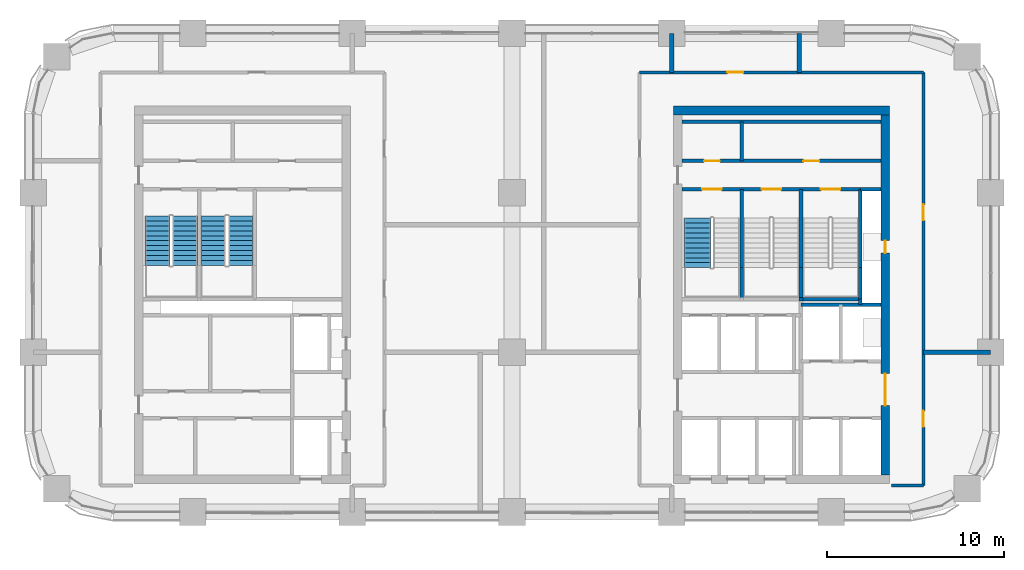
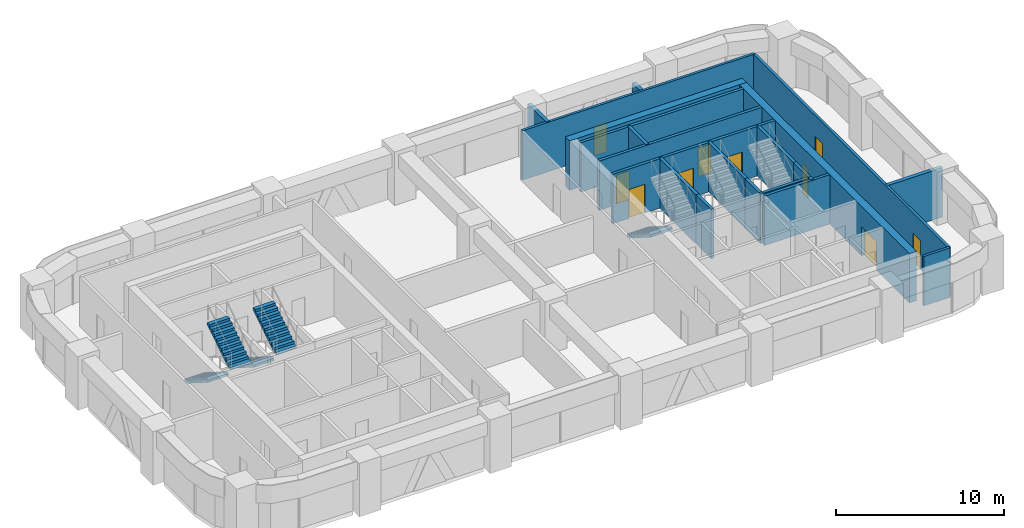
# One storey, part 10 of 18: 23 walls, 10 doors, 5 stair flights, 10 openings, 3 elements without a shape of their own.
"""IFC4 building model written with IfcOpenShell, lengths in metres."""

import ifcopenshell
import ifcopenshell.guid

model = None  # the IFC model being written
_history = None  # IfcOwnerHistory: only IFC2X3 demands one
_inside = {}  # id of a spatial element -> (the spatial element, [elements in it])
_under = {}  # id of a project, library or spatial element -> (it, [spatial elements below it])
_declared = {}  # id of a project -> (the project, [libraries it declares])
_typed = {}  # id of a type object -> (the type object, [elements of that type])
_made_of = {}  # id of a material, layer set ... -> (it, [elements and type objects made of it])


def new_model(schema):
    """Start an empty IFC model of exactly this schema.

    Asked for "IFC4X3", IfcOpenShell would pick the latest addendum, in which some entities
    have other attributes; the version numbers below select the first issue.
    IFC2X3 requires an IfcOwnerHistory on every rooted entity: one is made here for all.
    """
    global model, _history
    if schema == "IFC4X3":
        model = ifcopenshell.file(schema_version=(4, 3, 0, 0))
    else:
        model = ifcopenshell.file(schema=schema)
    _inside.clear()
    _under.clear()
    _declared.clear()
    _typed.clear()
    _made_of.clear()
    _history = None
    if model.schema == "IFC2X3":
        org = make("IfcOrganization", Name="unknown")
        user = make(
            "IfcPersonAndOrganization",
            ThePerson=make("IfcPerson", FamilyName="unknown"),
            TheOrganization=org,
        )
        app = make(
            "IfcApplication",
            ApplicationDeveloper=org,
            Version="unknown",
            ApplicationFullName="unknown",
            ApplicationIdentifier="unknown",
        )
        _history = make(
            "IfcOwnerHistory",
            OwningUser=user,
            OwningApplication=app,
            ChangeAction="ADDED",
            CreationDate=0,
        )
    return model


def make(cls, **values):
    """One entity of the class cls with the attributes given. An attribute that is None is left unset."""
    return model.create_entity(
        cls, **{name: value for name, value in values.items() if value is not None}
    )


def rooted(cls, **values):
    """An entity with a GlobalId (a new one), such as an element, a storey or a relation."""
    return make(cls, GlobalId=ifcopenshell.guid.new(), OwnerHistory=_history, **values)


def si_unit(unit_type, name, prefix=None):
    """IfcSIUnit, for example si_unit("LENGTHUNIT", "METRE", prefix="MILLI")."""
    return make("IfcSIUnit", UnitType=unit_type, Prefix=prefix, Name=name)


def assignment(units):
    """IfcUnitAssignment: the units of a project."""
    return None if units is None else make("IfcUnitAssignment", Units=units)


def point(xyz):
    """IfcCartesianPoint."""
    return None if xyz is None else make("IfcCartesianPoint", Coordinates=xyz)


def direction(xyz):
    """IfcDirection."""
    return None if xyz is None else make("IfcDirection", DirectionRatios=xyz)


def frame(location, z_axis=None, x_axis=None):
    """IfcAxis2Placement3D, a coordinate frame: its origin and axes. An axis left out is left unset."""
    return make(
        "IfcAxis2Placement3D",
        Location=point(location),
        Axis=direction(z_axis),
        RefDirection=direction(x_axis),
    )


def frame_2d(location, x_axis=None):
    """IfcAxis2Placement2D, a coordinate frame in the plane: its origin and x axis."""
    return make(
        "IfcAxis2Placement2D", Location=point(location), RefDirection=direction(x_axis)
    )


def origin():
    """The frame at (0, 0, 0) with its axes left unset."""
    return frame((0.0, 0.0, 0.0))


def place(relative_to, where):
    """IfcLocalPlacement: puts the frame where relative to a parent placement (None: the world)."""
    return make(
        "IfcLocalPlacement", PlacementRelTo=relative_to, RelativePlacement=where
    )


def context(
    kind, dimensions, precision=None, world=None, true_north=None, identifier=None
):
    """IfcGeometricRepresentationContext, for example the 3D "Model" context."""
    return make(
        "IfcGeometricRepresentationContext",
        ContextIdentifier=identifier,
        ContextType=kind,
        CoordinateSpaceDimension=dimensions,
        Precision=precision,
        WorldCoordinateSystem=world,
        TrueNorth=true_north,
    )


def subcontext(parent, identifier, kind, view, scale=None):
    """IfcGeometricRepresentationSubContext, for example "Body" below "Model"."""
    return make(
        "IfcGeometricRepresentationSubContext",
        ContextIdentifier=identifier,
        ContextType=kind,
        ParentContext=parent,
        TargetScale=scale,
        TargetView=view,
    )


def project(units=None, contexts=None):
    """IfcProject with its units and contexts."""
    return rooted(
        "IfcProject",
        Name="project",
        RepresentationContexts=contexts,
        UnitsInContext=assignment(units),
    )


def spatial(cls, under=None, at=None, **own):
    """A site, building, storey or space (cls), placed at a placement, below another one or the project."""
    s = rooted(cls, ObjectPlacement=at, **own)
    if under is not None:
        _under.setdefault(under.id(), (under, []))[1].append(s)
    return s


def polyline(points):
    """IfcPolyline through the points."""
    return make("IfcPolyline", Points=[point(p) for p in points])


def profile(cls, at=None, kind="AREA", **sizes):
    """A parametric profile (cls). Its sizes go by their IFC names, for example OverallWidth=200.0."""
    return make(cls, ProfileType=kind, Position=at, **sizes)


def rectangle(**sizes):
    """IfcRectangleProfileDef."""
    return profile("IfcRectangleProfileDef", **sizes)


def outline(outer, holes=None, kind="AREA"):
    """IfcArbitraryClosedProfileDef: a profile drawn as a closed curve; with holes, ...WithVoids."""
    if holes is None:
        return make("IfcArbitraryClosedProfileDef", ProfileType=kind, OuterCurve=outer)
    return make(
        "IfcArbitraryProfileDefWithVoids",
        ProfileType=kind,
        OuterCurve=outer,
        InnerCurves=holes,
    )


def extrude(swept, where, along, depth):
    """IfcExtrudedAreaSolid: the profile swept, set in the frame where, extruded along a direction by depth."""
    return make(
        "IfcExtrudedAreaSolid",
        SweptArea=swept,
        Position=where,
        ExtrudedDirection=direction(along),
        Depth=depth,
    )


def shape(context_of_items, identifier, shape_type, items):
    """IfcShapeRepresentation: the items that make up one representation, for example the "Body"."""
    return make(
        "IfcShapeRepresentation",
        ContextOfItems=context_of_items,
        RepresentationIdentifier=identifier,
        RepresentationType=shape_type,
        Items=items,
    )


def material(Name=None, Category=None):
    """IfcMaterial."""
    return make("IfcMaterial", Name=Name, Category=Category)


def layer(
    of_material, thickness, ventilated=None, Name=None, Category=None, Priority=None
):
    """IfcMaterialLayer: one layer of a wall or slab, of a material (None: an air gap)."""
    return make(
        "IfcMaterialLayer",
        Material=of_material,
        LayerThickness=thickness,
        IsVentilated=ventilated,
        Name=Name,
        Category=Category,
        Priority=Priority,
    )


def layer_set(layers, Name=None):
    """IfcMaterialLayerSet."""
    return make("IfcMaterialLayerSet", MaterialLayers=layers, LayerSetName=Name)


def made_of(thing, what):
    """Note that an element or type object is made of a material, layer set ...; save() writes the relation."""
    if what is not None:
        _made_of.setdefault(what.id(), (what, []))[1].append(thing)
    return thing


def type_object(cls, material=None, **own):
    """A type object (cls), such as IfcWallType, which elements share."""
    return made_of(rooted(cls, **own), material)


def element(
    cls,
    number,
    at=None,
    inside=None,
    cuts=None,
    type_object=None,
    material=None,
    context=None,
    identifier="Body",
    shape_type=None,
    held_by="IfcProductDefinitionShape",
    body=None,
    shapes=None,
    **own,
):
    """One element of the class cls, such as IfcWall. Its Tag is "e" and its number.

    at: its placement. inside: the storey or other place that contains it. cuts: it is an
    opening in that element (IfcRelVoidsElement). A single representation is given by context,
    identifier, shape_type and body (its items); several are given by shapes. held_by: the class
    of the entity that holds the representations. save() writes the other relations.
    """
    e = rooted(cls, Tag="e%d" % number, ObjectPlacement=at, **own)
    if body is not None:
        shapes = [shape(context, identifier, shape_type, body)]
    if shapes is not None:
        e.Representation = make(held_by, Representations=shapes)
    if inside is not None:
        _inside.setdefault(inside.id(), (inside, []))[1].append(e)
    if cuts is not None:
        rooted(
            "IfcRelVoidsElement", RelatingBuildingElement=cuts, RelatedOpeningElement=e
        )
    if type_object is not None:
        _typed.setdefault(type_object.id(), (type_object, []))[1].append(e)
    return made_of(e, material)


def fill(opening, filler):
    """IfcRelFillsElement: the door or window that sits in an opening."""
    return rooted(
        "IfcRelFillsElement",
        RelatingOpeningElement=opening,
        RelatedBuildingElement=filler,
    )


def aggregate(whole, parts):
    """IfcRelAggregates: a whole, such as a stair, and the parts it consists of."""
    return rooted("IfcRelAggregates", RelatingObject=whole, RelatedObjects=parts)


def save(model, path):
    """Write the relations noted so far, then the file.

    IfcRelAggregates (storeys below a building ...), IfcRelContainedInSpatialStructure (elements
    in a storey), IfcRelDefinesByType, IfcRelAssociatesMaterial and IfcRelDeclares: one each for
    every whole, place, type object, material and project.
    """
    for whole, parts in _under.values():
        aggregate(whole, parts)
    for where, things in _inside.values():
        rooted(
            "IfcRelContainedInSpatialStructure",
            RelatedElements=things,
            RelatingStructure=where,
        )
    for kind, things in _typed.values():
        rooted("IfcRelDefinesByType", RelatedObjects=things, RelatingType=kind)
    for what, things in _made_of.values():
        rooted("IfcRelAssociatesMaterial", RelatedObjects=things, RelatingMaterial=what)
    for by, libraries in _declared.values():
        rooted("IfcRelDeclares", RelatingContext=by, RelatedDefinitions=libraries)
    model.write(path)


model = new_model("IFC4")

# Units and contexts
model_context = context("Model", 3, precision=1e-05, world=origin(), true_north=direction((0.0, 1.0)))
body_context = subcontext(model_context, "Body", "Model", "MODEL_VIEW")
ifc_project = project(units=[si_unit("LENGTHUNIT", "METRE"), si_unit("AREAUNIT", "SQUARE_METRE"), si_unit("VOLUMEUNIT", "CUBIC_METRE"), si_unit("PLANEANGLEUNIT", "RADIAN"), si_unit("MASSUNIT", "GRAM", prefix="KILO")], contexts=[model_context])

# Site, building, storey
site_placement = place(None, origin())
site = spatial("IfcSite", under=ifc_project, at=site_placement, CompositionType="ELEMENT")
building_placement = place(site_placement, origin())
building = spatial("IfcBuilding", under=site, at=building_placement, Name="Tessera Arch", CompositionType="ELEMENT")
storey_placement = place(building_placement, frame((0.0, 0.0, 185.60009765625)))
storey = spatial("IfcBuildingStorey", under=building, at=storey_placement, Name="L44", CompositionType="ELEMENT", Elevation=185.60009765625)

# Wall
ifc_material_1 = material(Name="Gypsum board on steel stud", Category="steel")
ifc_layer_1 = layer(ifc_material_1, 0.125)
ifc_layer_set_1 = layer_set([ifc_layer_1], Name="Core partition 125 EI 60")
wall_type_1 = type_object("IfcWallType", Name="Core partition 125 EI 60", PredefinedType="PARTITIONING", material=ifc_layer_set_1)
wall_1_placement = place(storey_placement, frame((39.9599609375, 46.800048828125, 0.0), z_axis=(0.0, 0.0, 1.0), x_axis=(0.0, 1.0, 0.0)))
element("IfcWall", 1, at=wall_1_placement, inside=storey, type_object=wall_type_1, Name="L44 C1 partition wall 5", PredefinedType="PARTITIONING", context=body_context, shape_type="SweptSolid", body=[
    extrude(rectangle(XDim=2.199951171875, YDim=0.199951171875, at=frame_2d((1.10009765625, 0.0))), origin(), (0.0, 0.0, 1.0), 3.599853515625),
])

# Wall, openings, doors
wall_2_placement = place(storey_placement, frame((36.60009765625, 46.800048828125, 0.0), z_axis=(0.0, 0.0, 1.0), x_axis=(1.0, 0.0, 0.0)))
wall_2 = element("IfcWall", 2, at=wall_2_placement, inside=storey, type_object=wall_type_1, Name="L44 C1 partition wall 31", PredefinedType="PARTITIONING", context=body_context, shape_type="SweptSolid", body=[
    extrude(rectangle(XDim=11.199951171875, YDim=0.199951171875, at=frame_2d((5.60009765625, 0.0))), origin(), (0.0, 0.0, 1.0), 3.599853515625),
])
opening_1_placement = place(wall_2_placement, frame((1.22998046875, 0.0, 0.0)))
opening_1 = element("IfcOpeningElement", 3, at=opening_1_placement, cuts=wall_2, Name="Opening L44-C18", PredefinedType="OPENING", context=body_context, shape_type="SweptSolid", body=[
    extrude(rectangle(XDim=0.89990234375, YDim=2.10009765625, at=frame_2d((0.449951171875, 1.050048828125))), frame((0.0, 0.10986328125, 0.0), z_axis=(0.0, -1.0, 0.0), x_axis=(1.0, 0.0, 0.0)), (0.0, 0.0, 1.0), 0.219970703125),
])
opening_2_placement = place(wall_2_placement, frame((6.830078125, 0.0, 0.0)))
opening_2 = element("IfcOpeningElement", 4, at=opening_2_placement, cuts=wall_2, Name="Opening L44-C19", PredefinedType="OPENING", context=body_context, shape_type="SweptSolid", body=[
    extrude(rectangle(XDim=0.89990234375, YDim=2.10009765625, at=frame_2d((0.449951171875, 1.050048828125))), frame((0.0, 0.10986328125, 0.0), z_axis=(0.0, -1.0, 0.0), x_axis=(1.0, 0.0, 0.0)), (0.0, 0.0, 1.0), 0.219970703125),
])
ifc_material_2 = material(Name="Steel door leaf", Category="steel")
door_type_1 = type_object("IfcDoorType", Name="Store door FD30S 900 x 2100", OperationType="SINGLE_SWING_LEFT", PredefinedType="DOOR", material=ifc_material_2)
door_1_placement = place(opening_1_placement, origin())
door_1 = element("IfcDoor", 5, at=door_1_placement, inside=storey, type_object=door_type_1, Name="L44 C1 door 18 C18 type D09", OperationType="SINGLE_SWING_LEFT", OverallHeight=2.10009765625, OverallWidth=0.89990234375, PredefinedType="DOOR", context=body_context, shape_type="SweptSolid", body=[
    extrude(rectangle(XDim=0.89990234375, YDim=2.10009765625, at=frame_2d((0.449951171875, 1.050048828125))), frame((0.0, 0.02490234375, 0.0), z_axis=(0.0, -1.0, 0.0), x_axis=(1.0, 0.0, 0.0)), (0.0, 0.0, 1.0), 0.050048828125),
])
fill(opening_1, door_1)
door_2_placement = place(opening_2_placement, origin())
door_2 = element("IfcDoor", 6, at=door_2_placement, inside=storey, type_object=door_type_1, Name="L44 C1 door 19 C19 type D09", OperationType="SINGLE_SWING_RIGHT", OverallHeight=2.10009765625, OverallWidth=0.89990234375, PredefinedType="DOOR", context=body_context, shape_type="SweptSolid", body=[
    extrude(rectangle(XDim=0.89990234375, YDim=2.10009765625, at=frame_2d((0.449951171875, 1.050048828125))), frame((0.0, 0.02490234375, 0.0), z_axis=(0.0, -1.0, 0.0), x_axis=(1.0, 0.0, 0.0)), (0.0, 0.0, 1.0), 0.050048828125),
])
fill(opening_2, door_2)

# Walls
wall_3_placement = place(storey_placement, frame((36.60009765625, 49.0, 0.0), z_axis=(0.0, 0.0, 1.0), x_axis=(1.0, 0.0, 0.0)))
element("IfcWall", 7, at=wall_3_placement, inside=storey, type_object=wall_type_1, Name="L44 C1 partition wall 32", PredefinedType="PARTITIONING", context=body_context, shape_type="SweptSolid", body=[
    extrude(rectangle(XDim=11.199951171875, YDim=0.199951171875, at=frame_2d((5.60009765625, 0.0))), origin(), (0.0, 0.0, 1.0), 3.599853515625),
])
ifc_material_3 = material(Name="Concrete C60/75", Category="concrete")
ifc_layer_2 = layer(ifc_material_3, 0.5)
ifc_layer_set_2 = layer_set([ifc_layer_2], Name="Core shell wall 500 C60-75")
wall_type_2 = type_object("IfcWallType", Name="Core shell wall 500 C60-75", PredefinedType="SHEAR", material=ifc_layer_set_2)
wall_4_placement = place(storey_placement, frame((36.10009765625, 49.64990234375, 0.0), z_axis=(0.0, 0.0, 1.0), x_axis=(1.0, 0.0, 0.0)))
element("IfcWall", 8, at=wall_4_placement, inside=storey, type_object=wall_type_2, Name="L44 C1 core wall N", PredefinedType="SHEAR", context=body_context, shape_type="SweptSolid", body=[
    extrude(rectangle(XDim=12.199951171875, YDim=0.5, at=frame_2d((6.10009765625, 0.0))), origin(), (0.0, 0.0, 1.0), 3.599853515625),
])

# Wall, openings, doors
wall_5_placement = place(storey_placement, frame((48.050048828125, 29.10009765625, 0.0), z_axis=(0.0, 0.0, 1.0), x_axis=(0.0, 1.0, 0.0)))
wall_5 = element("IfcWall", 9, at=wall_5_placement, inside=storey, type_object=wall_type_2, Name="L44 C1 core wall E", PredefinedType="SHEAR", context=body_context, shape_type="SweptSolid", body=[
    extrude(rectangle(XDim=20.2998046875, YDim=0.5, at=frame_2d((10.14990234375, 0.0))), origin(), (0.0, 0.0, 1.0), 3.599853515625),
])
opening_3_placement = place(wall_5_placement, frame((12.5, 0.0, 0.0)))
opening_3 = element("IfcOpeningElement", 10, at=opening_3_placement, cuts=wall_5, Name="Opening L44-C14", PredefinedType="OPENING", context=body_context, shape_type="SweptSolid", body=[
    extrude(rectangle(XDim=0.699951171875, YDim=2.10009765625, at=frame_2d((0.35009765625, 1.050048828125))), frame((0.0, 0.260009765625, 0.0), z_axis=(0.0, -1.0, 0.0), x_axis=(1.0, 0.0, 0.0)), (0.0, 0.0, 1.0), 0.52001953125),
])
opening_4_placement = place(wall_5_placement, frame((3.89990234375, 0.0, 0.0)))
opening_4 = element("IfcOpeningElement", 11, at=opening_4_placement, cuts=wall_5, Name="Opening L44-C15", PredefinedType="OPENING", context=body_context, shape_type="SweptSolid", body=[
    extrude(rectangle(XDim=1.800048828125, YDim=2.10009765625, at=frame_2d((0.89990234375, 1.050048828125))), frame((0.0, 0.260009765625, 0.0), z_axis=(0.0, -1.0, 0.0), x_axis=(1.0, 0.0, 0.0)), (0.0, 0.0, 1.0), 0.52001953125),
])
ifc_material_4 = material(Name="Glazed steel door leaf", Category="steel")
door_type_2 = type_object("IfcDoorType", Name="Lobby double door FD60 1800 x 2100", OperationType="DOUBLE_DOOR_SINGLE_SWING", PredefinedType="DOOR", material=ifc_material_4)
door_3_placement = place(opening_4_placement, origin())
door_3 = element("IfcDoor", 12, at=door_3_placement, inside=storey, type_object=door_type_2, Name="L44 C1 door 15 C15 type D19", OperationType="DOUBLE_DOOR_SINGLE_SWING", OverallHeight=2.10009765625, OverallWidth=1.800048828125, PredefinedType="DOOR", context=body_context, shape_type="SweptSolid", body=[
    extrude(rectangle(XDim=1.800048828125, YDim=2.10009765625, at=frame_2d((0.89990234375, 1.050048828125))), frame((0.0, 0.02490234375, 0.0), z_axis=(0.0, -1.0, 0.0), x_axis=(1.0, 0.0, 0.0)), (0.0, 0.0, 1.0), 0.050048828125),
])
fill(opening_4, door_3)
ifc_material_5 = material(Name="Steel door leaf", Category="steel")
door_type_3 = type_object("IfcDoorType", Name="Service shaft door FD60 700 x 2100", OperationType="SINGLE_SWING_LEFT", PredefinedType="DOOR", material=ifc_material_5)
door_4_placement = place(opening_3_placement, origin())
door_4 = element("IfcDoor", 13, at=door_4_placement, inside=storey, type_object=door_type_3, Name="L44 C1 door 14 C14 type D07", OperationType="SINGLE_SWING_RIGHT", OverallHeight=2.10009765625, OverallWidth=0.699951171875, PredefinedType="DOOR", context=body_context, shape_type="SweptSolid", body=[
    extrude(rectangle(XDim=0.699951171875, YDim=2.10009765625, at=frame_2d((0.35009765625, 1.050048828125))), frame((0.0, 0.02490234375, 0.0), z_axis=(0.0, -1.0, 0.0), x_axis=(1.0, 0.0, 0.0)), (0.0, 0.0, 1.0), 0.050048828125),
])
fill(opening_3, door_4)

# Wall
ifc_material_6 = material(Name="Gypsum board on deep steel stud with mineral wool", Category="steel")
ifc_layer_3 = layer(ifc_material_6, 0.175048828125)
ifc_layer_set_3 = layer_set([ifc_layer_3], Name="Corridor wall 175 EI 60")
wall_type_3 = type_object("IfcWallType", Name="Corridor wall 175 EI 60", PredefinedType="PARTITIONING", material=ifc_layer_set_3)
wall_6_placement = place(storey_placement, frame((48.39990234375, 28.5, 0.0), z_axis=(0.0, 0.0, 1.0), x_axis=(1.0, 0.0, 0.0)))
element("IfcWall", 14, at=wall_6_placement, inside=storey, type_object=wall_type_3, Name="L44 partition 4", PredefinedType="PARTITIONING", context=body_context, shape_type="SweptSolid", body=[
    extrude(rectangle(XDim=1.800048828125, YDim=0.175048828125, at=frame_2d((0.89990234375, 0.0))), origin(), (0.0, 0.0, 1.0), 3.599853515625),
])

# Wall, opening, door
wall_7_placement = place(storey_placement, frame((34.199951171875, 51.800048828125, 0.0), z_axis=(0.0, 0.0, 1.0), x_axis=(1.0, 0.0, 0.0)))
wall_7 = element("IfcWall", 15, at=wall_7_placement, inside=storey, type_object=wall_type_3, Name="L44 partition 6", PredefinedType="PARTITIONING", context=body_context, shape_type="SweptSolid", body=[
    extrude(rectangle(XDim=16.0, YDim=0.175048828125, at=frame_2d((8.0, 0.0))), origin(), (0.0, 0.0, 1.0), 3.599853515625),
])
opening_5_placement = place(wall_7_placement, frame((4.949951171875, 0.0, 0.0)))
opening_5 = element("IfcOpeningElement", 16, at=opening_5_placement, cuts=wall_7, Name="Opening L44-D013", PredefinedType="OPENING", context=body_context, shape_type="SweptSolid", body=[
    extrude(rectangle(XDim=0.89990234375, YDim=2.10009765625, at=frame_2d((0.449951171875, 1.050048828125))), frame((0.0, 0.097412109375, 0.0), z_axis=(0.0, -1.0, 0.0), x_axis=(1.0, 0.0, 0.0)), (0.0, 0.0, 1.0), 0.195068359375),
])
ifc_material_7 = material(Name="Timber door leaf", Category="wood")
door_type_4 = type_object("IfcDoorType", Name="Room door 900 x 2100", OperationType="SINGLE_SWING_LEFT", PredefinedType="DOOR", material=ifc_material_7)
door_5_placement = place(opening_5_placement, origin())
door_5 = element("IfcDoor", 17, at=door_5_placement, inside=storey, type_object=door_type_4, Name="L44 door D013 type D01", OperationType="SINGLE_SWING_LEFT", OverallHeight=2.10009765625, OverallWidth=0.89990234375, PredefinedType="DOOR", context=body_context, shape_type="SweptSolid", body=[
    extrude(rectangle(XDim=0.89990234375, YDim=2.10009765625, at=frame_2d((0.449951171875, 1.050048828125))), frame((0.0, 0.02490234375, 0.0), z_axis=(0.0, -1.0, 0.0), x_axis=(1.0, 0.0, 0.0)), (0.0, 0.0, 1.0), 0.050048828125),
])
fill(opening_5, door_5)

# Wall, openings, doors
wall_8_placement = place(storey_placement, frame((50.199951171875, 28.5, 0.0), z_axis=(0.0, 0.0, 1.0), x_axis=(0.0, 1.0, 0.0)))
wall_8 = element("IfcWall", 18, at=wall_8_placement, inside=storey, type_object=wall_type_3, Name="L44 partition 10", PredefinedType="PARTITIONING", context=body_context, shape_type="SweptSolid", body=[
    extrude(rectangle(XDim=23.300048828125, YDim=0.175048828125, at=frame_2d((11.64990234375, 0.0))), origin(), (0.0, 0.0, 1.0), 3.599853515625),
])
opening_6_placement = place(wall_8_placement, frame((3.300048828125, 0.0, 0.0)))
opening_6 = element("IfcOpeningElement", 19, at=opening_6_placement, cuts=wall_8, Name="Opening L44-D002", PredefinedType="OPENING", context=body_context, shape_type="SweptSolid", body=[
    extrude(rectangle(XDim=0.89990234375, YDim=2.10009765625, at=frame_2d((0.449951171875, 1.050048828125))), frame((0.0, 0.097412109375, 0.0), z_axis=(0.0, -1.0, 0.0), x_axis=(1.0, 0.0, 0.0)), (0.0, 0.0, 1.0), 0.195068359375),
])
opening_7_placement = place(wall_8_placement, frame((14.949951171875, 0.0, 0.0)))
opening_7 = element("IfcOpeningElement", 20, at=opening_7_placement, cuts=wall_8, Name="Opening L44-D008", PredefinedType="OPENING", context=body_context, shape_type="SweptSolid", body=[
    extrude(rectangle(XDim=0.89990234375, YDim=2.10009765625, at=frame_2d((0.449951171875, 1.050048828125))), frame((0.0, 0.097412109375, 0.0), z_axis=(0.0, -1.0, 0.0), x_axis=(1.0, 0.0, 0.0)), (0.0, 0.0, 1.0), 0.195068359375),
])
door_6_placement = place(opening_6_placement, origin())
door_6 = element("IfcDoor", 21, at=door_6_placement, inside=storey, type_object=door_type_4, Name="L44 door D002 type D01", OperationType="SINGLE_SWING_LEFT", OverallHeight=2.10009765625, OverallWidth=0.89990234375, PredefinedType="DOOR", context=body_context, shape_type="SweptSolid", body=[
    extrude(rectangle(XDim=0.89990234375, YDim=2.10009765625, at=frame_2d((0.449951171875, 1.050048828125))), frame((0.0, 0.02490234375, 0.0), z_axis=(0.0, -1.0, 0.0), x_axis=(1.0, 0.0, 0.0)), (0.0, 0.0, 1.0), 0.050048828125),
])
fill(opening_6, door_6)
door_7_placement = place(opening_7_placement, origin())
door_7 = element("IfcDoor", 22, at=door_7_placement, inside=storey, type_object=door_type_4, Name="L44 door D008 type D01", OperationType="SINGLE_SWING_LEFT", OverallHeight=2.10009765625, OverallWidth=0.89990234375, PredefinedType="DOOR", context=body_context, shape_type="SweptSolid", body=[
    extrude(rectangle(XDim=0.89990234375, YDim=2.10009765625, at=frame_2d((0.449951171875, 1.050048828125))), frame((0.0, 0.02490234375, 0.0), z_axis=(0.0, -1.0, 0.0), x_axis=(1.0, 0.0, 0.0)), (0.0, 0.0, 1.0), 0.050048828125),
])
fill(opening_7, door_7)

# Walls
ifc_material_8 = material(Name="Double gypsum board on twin steel stud with acoustic mineral wool", Category="steel")
ifc_layer_4 = layer(ifc_material_8, 0.25)
ifc_layer_set_4 = layer_set([ifc_layer_4], Name="Party wall 250 EI 60")
wall_type_4 = type_object("IfcWallType", Name="Party wall 250 EI 60", PredefinedType="PARTITIONING", material=ifc_layer_set_4)
wall_9_placement = place(storey_placement, frame((50.199951171875, 36.0, 0.0), z_axis=(0.0, 0.0, 1.0), x_axis=(1.0, 0.0, 0.0)))
element("IfcWall", 23, at=wall_9_placement, inside=storey, type_object=wall_type_4, Name="L44 partition 13", PredefinedType="PARTITIONING", context=body_context, shape_type="SweptSolid", body=[
    extrude(rectangle(XDim=3.800048828125, YDim=0.25, at=frame_2d((1.89990234375, 0.0))), origin(), (0.0, 0.0, 1.0), 3.599853515625),
])
wall_10_placement = place(storey_placement, frame((36.0, 51.800048828125, 0.0), z_axis=(0.0, 0.0, 1.0), x_axis=(0.0, 1.0, 0.0)))
element("IfcWall", 24, at=wall_10_placement, inside=storey, type_object=wall_type_4, Name="L44 partition 22", PredefinedType="PARTITIONING", context=body_context, shape_type="SweptSolid", body=[
    extrude(rectangle(XDim=2.199951171875, YDim=0.25, at=frame_2d((1.10009765625, 0.0))), origin(), (0.0, 0.0, 1.0), 3.599853515625),
])
wall_11_placement = place(storey_placement, frame((43.199951171875, 51.800048828125, 0.0), z_axis=(0.0, 0.0, 1.0), x_axis=(0.0, 1.0, 0.0)))
element("IfcWall", 25, at=wall_11_placement, inside=storey, type_object=wall_type_4, Name="L44 partition 23", PredefinedType="PARTITIONING", context=body_context, shape_type="SweptSolid", body=[
    extrude(rectangle(XDim=2.199951171875, YDim=0.25, at=frame_2d((1.10009765625, 0.0))), origin(), (0.0, 0.0, 1.0), 2.599853515625),
])
ifc_material_9 = material(Name="Concrete C40/50", Category="concrete")
ifc_layer_5 = layer(ifc_material_9, 0.199951171875)
ifc_layer_set_5 = layer_set([ifc_layer_5], Name="Shaft wall 200 EI 120")
wall_type_5 = type_object("IfcWallType", Name="Shaft wall 200 EI 120", PredefinedType="SOLIDWALL", material=ifc_layer_set_5)
wall_12_placement = place(storey_placement, frame((46.64990234375, 38.699951171875, 0.0), z_axis=(0.0, 0.0, 1.0), x_axis=(0.0, 1.0, 0.0)))
element("IfcWall", 26, at=wall_12_placement, inside=storey, type_object=wall_type_5, Name="L44 C1 shaft wall 15", PredefinedType="SOLIDWALL", context=body_context, shape_type="SweptSolid", body=[
    extrude(rectangle(XDim=0.300048828125, YDim=0.199951171875, at=frame_2d((0.14990234375, 0.0))), origin(), (0.0, 0.0, 1.0), 3.599853515625),
])
wall_13_placement = place(storey_placement, frame((43.300048828125, 38.699951171875, 0.0), z_axis=(0.0, 0.0, 1.0), x_axis=(1.0, 0.0, 0.0)))
element("IfcWall", 27, at=wall_13_placement, inside=storey, type_object=wall_type_5, Name="L44 C1 shaft wall 23", PredefinedType="SOLIDWALL", context=body_context, shape_type="SweptSolid", body=[
    extrude(rectangle(XDim=4.5, YDim=0.199951171875, at=frame_2d((2.25, 0.0))), origin(), (0.0, 0.0, 1.0), 3.599853515625),
])
wall_14_placement = place(storey_placement, frame((46.64990234375, 45.199951171875, 0.0), z_axis=(0.0, 0.0, 1.0), x_axis=(1.0, 0.0, 0.0)))
element("IfcWall", 28, at=wall_14_placement, inside=storey, type_object=wall_type_5, Name="L44 C1 shaft wall 29", PredefinedType="SOLIDWALL", context=body_context, shape_type="SweptSolid", body=[
    extrude(rectangle(XDim=1.150146484375, YDim=0.199951171875, at=frame_2d((0.5751953125, 0.0))), origin(), (0.0, 0.0, 1.0), 3.599853515625),
])
ifc_material_10 = material(Name="Concrete C40/50", Category="concrete")
ifc_layer_6 = layer(ifc_material_10, 0.199951171875)
ifc_layer_set_6 = layer_set([ifc_layer_6], Name="Stair well wall 200 REI 180")
wall_type_6 = type_object("IfcWallType", Name="Stair well wall 200 REI 180", PredefinedType="SOLIDWALL", material=ifc_layer_set_6)
wall_15_placement = place(storey_placement, frame((39.949951171875, 39.0, 0.0), z_axis=(0.0, 0.0, 1.0), x_axis=(0.0, 1.0, 0.0)))
element("IfcWall", 29, at=wall_15_placement, inside=storey, type_object=wall_type_6, Name="L44 C1 shaft wall 3", PredefinedType="SOLIDWALL", context=body_context, shape_type="SweptSolid", body=[
    extrude(rectangle(XDim=1.780029296875, YDim=0.199951171875, at=frame_2d((0.89013671875, 0.0))), origin(), (0.0, 0.0, 1.0), 3.599853515625),
])
wall_16_placement = place(storey_placement, frame((39.949951171875, 40.780029296875, 0.0), z_axis=(0.0, 0.0, 1.0), x_axis=(0.0, 1.0, 0.0)))
element("IfcWall", 30, at=wall_16_placement, inside=storey, type_object=wall_type_6, Name="L44 C1 shaft wall 4", PredefinedType="SOLIDWALL", context=body_context, shape_type="SweptSolid", body=[
    extrude(rectangle(XDim=4.419921875, YDim=0.199951171875, at=frame_2d((2.2099609375, 0.0))), origin(), (0.0, 0.0, 1.0), 3.599853515625),
])
wall_17_placement = place(storey_placement, frame((43.300048828125, 39.0, 0.0), z_axis=(0.0, 0.0, 1.0), x_axis=(0.0, 1.0, 0.0)))
element("IfcWall", 31, at=wall_17_placement, inside=storey, type_object=wall_type_6, Name="L44 C1 shaft wall 11", PredefinedType="SOLIDWALL", context=body_context, shape_type="SweptSolid", body=[
    extrude(rectangle(XDim=1.780029296875, YDim=0.199951171875, at=frame_2d((0.89013671875, 0.0))), origin(), (0.0, 0.0, 1.0), 3.599853515625),
])
wall_18_placement = place(storey_placement, frame((43.300048828125, 40.780029296875, 0.0), z_axis=(0.0, 0.0, 1.0), x_axis=(0.0, 1.0, 0.0)))
element("IfcWall", 32, at=wall_18_placement, inside=storey, type_object=wall_type_6, Name="L44 C1 shaft wall 12", PredefinedType="SOLIDWALL", context=body_context, shape_type="SweptSolid", body=[
    extrude(rectangle(XDim=4.419921875, YDim=0.199951171875, at=frame_2d((2.2099609375, 0.0))), origin(), (0.0, 0.0, 1.0), 3.599853515625),
])
wall_19_placement = place(storey_placement, frame((46.64990234375, 39.0, 0.0), z_axis=(0.0, 0.0, 1.0), x_axis=(0.0, 1.0, 0.0)))
element("IfcWall", 33, at=wall_19_placement, inside=storey, type_object=wall_type_6, Name="L44 C1 shaft wall 16", PredefinedType="SOLIDWALL", context=body_context, shape_type="SweptSolid", body=[
    extrude(rectangle(XDim=1.780029296875, YDim=0.199951171875, at=frame_2d((0.89013671875, 0.0))), origin(), (0.0, 0.0, 1.0), 3.599853515625),
])
wall_20_placement = place(storey_placement, frame((46.64990234375, 40.780029296875, 0.0), z_axis=(0.0, 0.0, 1.0), x_axis=(0.0, 1.0, 0.0)))
element("IfcWall", 34, at=wall_20_placement, inside=storey, type_object=wall_type_6, Name="L44 C1 shaft wall 17", PredefinedType="SOLIDWALL", context=body_context, shape_type="SweptSolid", body=[
    extrude(rectangle(XDim=4.419921875, YDim=0.199951171875, at=frame_2d((2.2099609375, 0.0))), origin(), (0.0, 0.0, 1.0), 3.599853515625),
])
wall_21_placement = place(storey_placement, frame((43.199951171875, 39.0, 0.0), z_axis=(0.0, 0.0, 1.0), x_axis=(1.0, 0.0, 0.0)))
element("IfcWall", 35, at=wall_21_placement, inside=storey, type_object=wall_type_6, Name="L44 C1 shaft wall 27", PredefinedType="SOLIDWALL", context=body_context, shape_type="SweptSolid", body=[
    extrude(rectangle(XDim=0.199951171875, YDim=0.199951171875, at=frame_2d((0.10009765625, 0.0))), origin(), (0.0, 0.0, 1.0), 3.599853515625),
])
wall_22_placement = place(storey_placement, frame((43.39990234375, 39.0, 0.0), z_axis=(0.0, 0.0, 1.0), x_axis=(1.0, 0.0, 0.0)))
element("IfcWall", 36, at=wall_22_placement, inside=storey, type_object=wall_type_6, Name="L44 C1 shaft wall 28", PredefinedType="SOLIDWALL", context=body_context, shape_type="SweptSolid", body=[
    extrude(rectangle(XDim=3.25, YDim=0.199951171875, at=frame_2d((1.625, 0.0))), origin(), (0.0, 0.0, 1.0), 3.599853515625),
])

# Wall, openings, doors
wall_23_placement = place(storey_placement, frame((36.60009765625, 45.199951171875, 0.0), z_axis=(0.0, 0.0, 1.0), x_axis=(1.0, 0.0, 0.0)))
wall_23 = element("IfcWall", 37, at=wall_23_placement, inside=storey, type_object=wall_type_6, Name="L44 C1 shaft wall 30", PredefinedType="SOLIDWALL", context=body_context, shape_type="SweptSolid", body=[
    extrude(rectangle(XDim=10.0498046875, YDim=0.199951171875, at=frame_2d((5.02490234375, 0.0))), origin(), (0.0, 0.0, 1.0), 3.599853515625),
])
opening_8_placement = place(wall_23_placement, frame((1.125, 0.0, 0.0)))
opening_8 = element("IfcOpeningElement", 38, at=opening_8_placement, cuts=wall_23, Name="Opening L44-C11", PredefinedType="OPENING", context=body_context, shape_type="SweptSolid", body=[
    extrude(rectangle(XDim=1.10009765625, YDim=2.10009765625, at=frame_2d((0.550048828125, 1.050048828125))), frame((0.0, 0.10986328125, 0.0), z_axis=(0.0, -1.0, 0.0), x_axis=(1.0, 0.0, 0.0)), (0.0, 0.0, 1.0), 0.219970703125),
])
opening_9_placement = place(wall_23_placement, frame((4.47509765625, 0.0, 0.0)))
opening_9 = element("IfcOpeningElement", 39, at=opening_9_placement, cuts=wall_23, Name="Opening L44-C12", PredefinedType="OPENING", context=body_context, shape_type="SweptSolid", body=[
    extrude(rectangle(XDim=1.10009765625, YDim=2.10009765625, at=frame_2d((0.550048828125, 1.050048828125))), frame((0.0, 0.10986328125, 0.0), z_axis=(0.0, -1.0, 0.0), x_axis=(1.0, 0.0, 0.0)), (0.0, 0.0, 1.0), 0.219970703125),
])
opening_10_placement = place(wall_23_placement, frame((7.824951171875, 0.0, 0.0)))
opening_10 = element("IfcOpeningElement", 40, at=opening_10_placement, cuts=wall_23, Name="Opening L44-C13", PredefinedType="OPENING", context=body_context, shape_type="SweptSolid", body=[
    extrude(rectangle(XDim=1.10009765625, YDim=2.10009765625, at=frame_2d((0.550048828125, 1.050048828125))), frame((0.0, 0.10986328125, 0.0), z_axis=(0.0, -1.0, 0.0), x_axis=(1.0, 0.0, 0.0)), (0.0, 0.0, 1.0), 0.219970703125),
])
ifc_material_11 = material(Name="Steel door leaf", Category="steel")
door_type_5 = type_object("IfcDoorType", Name="Stair door FD60 1100 x 2100", OperationType="SINGLE_SWING_LEFT", PredefinedType="DOOR", material=ifc_material_11)
door_8_placement = place(opening_8_placement, origin())
door_8 = element("IfcDoor", 41, at=door_8_placement, inside=storey, type_object=door_type_5, Name="L44 C1 door 11 C11 type D05", OperationType="SINGLE_SWING_LEFT", OverallHeight=2.10009765625, OverallWidth=1.10009765625, PredefinedType="DOOR", context=body_context, shape_type="SweptSolid", body=[
    extrude(rectangle(XDim=1.10009765625, YDim=2.10009765625, at=frame_2d((0.550048828125, 1.050048828125))), frame((0.0, 0.02490234375, 0.0), z_axis=(0.0, -1.0, 0.0), x_axis=(1.0, 0.0, 0.0)), (0.0, 0.0, 1.0), 0.050048828125),
])
fill(opening_8, door_8)
door_9_placement = place(opening_9_placement, origin())
door_9 = element("IfcDoor", 42, at=door_9_placement, inside=storey, type_object=door_type_5, Name="L44 C1 door 12 C12 type D05", OperationType="SINGLE_SWING_RIGHT", OverallHeight=2.10009765625, OverallWidth=1.10009765625, PredefinedType="DOOR", context=body_context, shape_type="SweptSolid", body=[
    extrude(rectangle(XDim=1.10009765625, YDim=2.10009765625, at=frame_2d((0.550048828125, 1.050048828125))), frame((0.0, 0.02490234375, 0.0), z_axis=(0.0, -1.0, 0.0), x_axis=(1.0, 0.0, 0.0)), (0.0, 0.0, 1.0), 0.050048828125),
])
fill(opening_9, door_9)
door_10_placement = place(opening_10_placement, origin())
door_10 = element("IfcDoor", 43, at=door_10_placement, inside=storey, type_object=door_type_5, Name="L44 C1 door 13 C13 type D05", OperationType="SINGLE_SWING_RIGHT", OverallHeight=2.10009765625, OverallWidth=1.10009765625, PredefinedType="DOOR", context=body_context, shape_type="SweptSolid", body=[
    extrude(rectangle(XDim=1.10009765625, YDim=2.10009765625, at=frame_2d((0.550048828125, 1.050048828125))), frame((0.0, 0.02490234375, 0.0), z_axis=(0.0, -1.0, 0.0), x_axis=(1.0, 0.0, 0.0)), (0.0, 0.0, 1.0), 0.050048828125),
])
fill(opening_10, door_10)

# Stair, stair flights
ifc_material_12 = material(Name="Concrete C40/50", Category="concrete")
stair_type_1 = type_object("IfcStairType", Name="Dogleg stair 1400", PredefinedType="HALF_TURN_STAIR", material=ifc_material_12)
stair_1_placement = place(storey_placement, origin())
stair_1 = element("IfcStair", 44, at=stair_1_placement, inside=storey, type_object=stair_type_1, Name="L44 S2a", PredefinedType="HALF_TURN_STAIR")
ifc_material_13 = material(Name="Concrete C40/50", Category="concrete")
stair_flight_type_1 = type_object("IfcStairFlightType", Name="Stair flight 1400", PredefinedType="STRAIGHT", material=ifc_material_13)
stair_flight_1_placement = place(storey_placement, frame((7.0, 43.699951171875, 0.0), z_axis=(0.0, 0.0, 1.0), x_axis=(0.0, -1.0, 0.0)))
stair_flight_1 = element("IfcStairFlight", 45, at=stair_flight_1_placement, type_object=stair_flight_type_1, Name="S2a flight 1", NumberOfRisers=11, NumberOfTreads=10, PredefinedType="STRAIGHT", RiserHeight=0.177272727, TreadLength=0.28, context=body_context, shape_type="SweptSolid", body=[
    extrude(outline(polyline([(0.0, 0.0), (0.0, 0.17724609375), (0.280029296875, 0.17724609375), (0.280029296875, 0.3544921875), (0.56005859375, 0.3544921875), (0.56005859375, 0.53173828125), (0.840087890625, 0.53173828125), (0.840087890625, 0.708984375), (1.1201171875, 0.708984375), (1.1201171875, 0.886474609375), (1.39990234375, 0.886474609375), (1.39990234375, 1.063720703125), (1.679931640625, 1.063720703125), (1.679931640625, 1.240966796875), (1.9599609375, 1.240966796875), (1.9599609375, 1.418212890625), (2.239990234375, 1.418212890625), (2.239990234375, 1.595458984375), (2.52001953125, 1.595458984375), (2.52001953125, 1.772705078125), (2.800048828125, 1.772705078125), (2.800048828125, 1.949951171875), (2.800048828125, 1.59521484375), (0.2802734375, 0.0), (0.0, 0.0)])), frame((0.0, 0.699951171875, 0.0), z_axis=(0.0, -1.0, 0.0), x_axis=(1.0, 0.0, 0.0)), (0.0, 0.0, 1.0), 1.39990234375),
])
stair_flight_2_placement = place(storey_placement, frame((8.550048828125, 40.89990234375, 1.949951171875), z_axis=(0.0, 0.0, 1.0), x_axis=(0.0, 1.0, 0.0)))
stair_flight_2 = element("IfcStairFlight", 46, at=stair_flight_2_placement, type_object=stair_flight_type_1, Name="S2a flight 2", NumberOfRisers=11, NumberOfTreads=10, PredefinedType="STRAIGHT", RiserHeight=0.177272727, TreadLength=0.28, context=body_context, shape_type="SweptSolid", body=[
    extrude(outline(polyline([(0.0, 0.0), (0.0, 0.17724609375), (0.280029296875, 0.17724609375), (0.280029296875, 0.3544921875), (0.56005859375, 0.3544921875), (0.56005859375, 0.53173828125), (0.840087890625, 0.53173828125), (0.840087890625, 0.708984375), (1.1201171875, 0.708984375), (1.1201171875, 0.886474609375), (1.39990234375, 0.886474609375), (1.39990234375, 1.063720703125), (1.679931640625, 1.063720703125), (1.679931640625, 1.240966796875), (1.9599609375, 1.240966796875), (1.9599609375, 1.418212890625), (2.239990234375, 1.418212890625), (2.239990234375, 1.595458984375), (2.52001953125, 1.595458984375), (2.52001953125, 1.772705078125), (2.800048828125, 1.772705078125), (2.800048828125, 1.949951171875), (2.800048828125, 1.59521484375), (0.2802734375, 0.0), (0.0, 0.0)])), frame((0.0, 0.699951171875, 0.0), z_axis=(0.0, -1.0, 0.0), x_axis=(1.0, 0.0, 0.0)), (0.0, 0.0, 1.0), 1.39990234375),
])
aggregate(stair_1, [stair_flight_1, stair_flight_2])

stair_2_placement = place(storey_placement, origin())
stair_2 = element("IfcStair", 47, at=stair_2_placement, inside=storey, type_object=stair_type_1, Name="L44 S2b", PredefinedType="HALF_TURN_STAIR")
stair_flight_3_placement = place(storey_placement, frame((10.14990234375, 43.699951171875, 0.0), z_axis=(0.0, 0.0, 1.0), x_axis=(0.0, -1.0, 0.0)))
stair_flight_3 = element("IfcStairFlight", 48, at=stair_flight_3_placement, type_object=stair_flight_type_1, Name="S2b flight 1", NumberOfRisers=11, NumberOfTreads=10, PredefinedType="STRAIGHT", RiserHeight=0.177272727, TreadLength=0.28, context=body_context, shape_type="SweptSolid", body=[
    extrude(outline(polyline([(0.0, 0.0), (0.0, 0.17724609375), (0.280029296875, 0.17724609375), (0.280029296875, 0.3544921875), (0.56005859375, 0.3544921875), (0.56005859375, 0.53173828125), (0.840087890625, 0.53173828125), (0.840087890625, 0.708984375), (1.1201171875, 0.708984375), (1.1201171875, 0.886474609375), (1.39990234375, 0.886474609375), (1.39990234375, 1.063720703125), (1.679931640625, 1.063720703125), (1.679931640625, 1.240966796875), (1.9599609375, 1.240966796875), (1.9599609375, 1.418212890625), (2.239990234375, 1.418212890625), (2.239990234375, 1.595458984375), (2.52001953125, 1.595458984375), (2.52001953125, 1.772705078125), (2.800048828125, 1.772705078125), (2.800048828125, 1.949951171875), (2.800048828125, 1.59521484375), (0.2802734375, 0.0), (0.0, 0.0)])), frame((0.0, 0.699951171875, 0.0), z_axis=(0.0, -1.0, 0.0), x_axis=(1.0, 0.0, 0.0)), (0.0, 0.0, 1.0), 1.39990234375),
])
stair_flight_4_placement = place(storey_placement, frame((11.699951171875, 40.89990234375, 1.949951171875), z_axis=(0.0, 0.0, 1.0), x_axis=(0.0, 1.0, 0.0)))
stair_flight_4 = element("IfcStairFlight", 49, at=stair_flight_4_placement, type_object=stair_flight_type_1, Name="S2b flight 2", NumberOfRisers=11, NumberOfTreads=10, PredefinedType="STRAIGHT", RiserHeight=0.177272727, TreadLength=0.28, context=body_context, shape_type="SweptSolid", body=[
    extrude(outline(polyline([(0.0, 0.0), (0.0, 0.17724609375), (0.280029296875, 0.17724609375), (0.280029296875, 0.3544921875), (0.56005859375, 0.3544921875), (0.56005859375, 0.53173828125), (0.840087890625, 0.53173828125), (0.840087890625, 0.708984375), (1.1201171875, 0.708984375), (1.1201171875, 0.886474609375), (1.39990234375, 0.886474609375), (1.39990234375, 1.063720703125), (1.679931640625, 1.063720703125), (1.679931640625, 1.240966796875), (1.9599609375, 1.240966796875), (1.9599609375, 1.418212890625), (2.239990234375, 1.418212890625), (2.239990234375, 1.595458984375), (2.52001953125, 1.595458984375), (2.52001953125, 1.772705078125), (2.800048828125, 1.772705078125), (2.800048828125, 1.949951171875), (2.800048828125, 1.59521484375), (0.2802734375, 0.0), (0.0, 0.0)])), frame((0.0, 0.699951171875, 0.0), z_axis=(0.0, -1.0, 0.0), x_axis=(1.0, 0.0, 0.0)), (0.0, 0.0, 1.0), 1.39990234375),
])
aggregate(stair_2, [stair_flight_3, stair_flight_4])

# Stair, stair flight
ifc_material_14 = material(Name="Concrete C40/50", Category="concrete")
stair_type_2 = type_object("IfcStairType", Name="Dogleg stair 1520", PredefinedType="HALF_TURN_STAIR", material=ifc_material_14)
stair_3_placement = place(storey_placement, origin())
stair_3 = element("IfcStair", 50, at=stair_3_placement, inside=storey, type_object=stair_type_2, Name="L44 S1a", PredefinedType="HALF_TURN_STAIR")
ifc_material_15 = material(Name="Concrete C40/50", Category="concrete")
stair_flight_type_2 = type_object("IfcStairFlightType", Name="Stair flight 1520", PredefinedType="STRAIGHT", material=ifc_material_15)
stair_flight_5_placement = place(storey_placement, frame((37.4599609375, 43.580078125, 0.0), z_axis=(0.0, 0.0, 1.0), x_axis=(0.0, -1.0, 0.0)))
stair_flight_5 = element("IfcStairFlight", 51, at=stair_flight_5_placement, type_object=stair_flight_type_2, Name="S1a flight 1", NumberOfRisers=11, NumberOfTreads=10, PredefinedType="STRAIGHT", RiserHeight=0.177272727, TreadLength=0.28, context=body_context, shape_type="SweptSolid", body=[
    extrude(outline(polyline([(0.0, 0.0), (0.0, 0.17724609375), (0.280029296875, 0.17724609375), (0.280029296875, 0.3544921875), (0.56005859375, 0.3544921875), (0.56005859375, 0.53173828125), (0.840087890625, 0.53173828125), (0.840087890625, 0.708984375), (1.1201171875, 0.708984375), (1.1201171875, 0.886474609375), (1.39990234375, 0.886474609375), (1.39990234375, 1.063720703125), (1.679931640625, 1.063720703125), (1.679931640625, 1.240966796875), (1.9599609375, 1.240966796875), (1.9599609375, 1.418212890625), (2.239990234375, 1.418212890625), (2.239990234375, 1.595458984375), (2.52001953125, 1.595458984375), (2.52001953125, 1.772705078125), (2.800048828125, 1.772705078125), (2.800048828125, 1.949951171875), (2.800048828125, 1.59521484375), (0.2802734375, 0.0), (0.0, 0.0)])), frame((0.0, 0.760009765625, 0.0), z_axis=(0.0, -1.0, 0.0), x_axis=(1.0, 0.0, 0.0)), (0.0, 0.0, 1.0), 1.52001953125),
])
aggregate(stair_3, [stair_flight_5])

save(model, "model.ifc")
